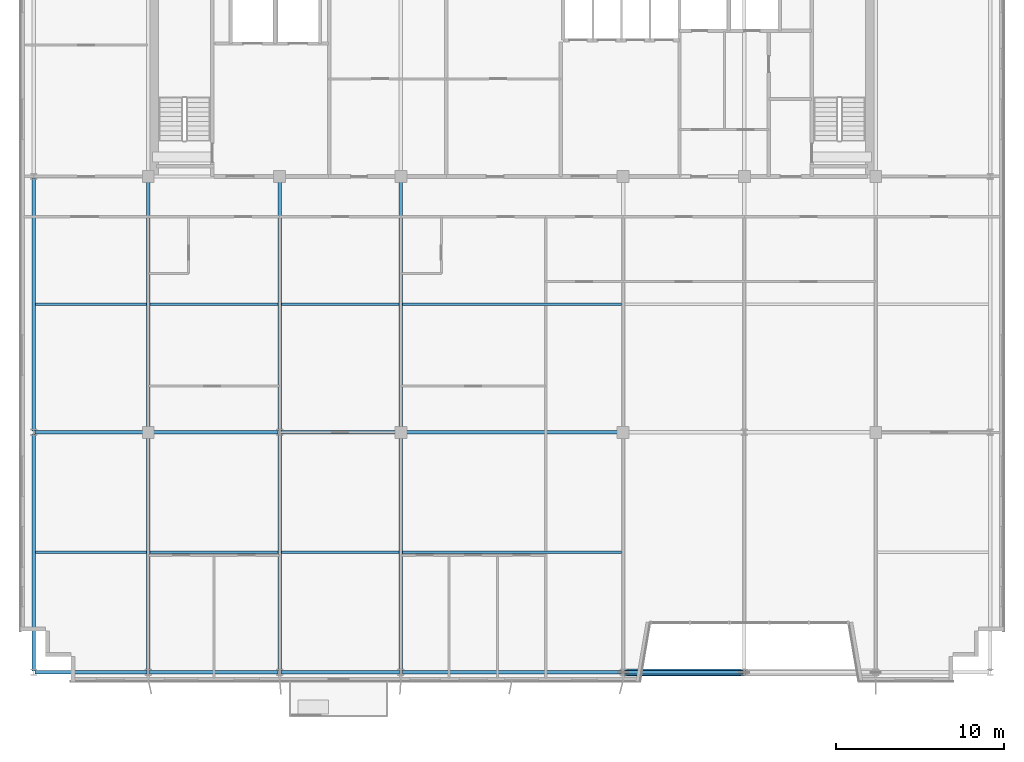
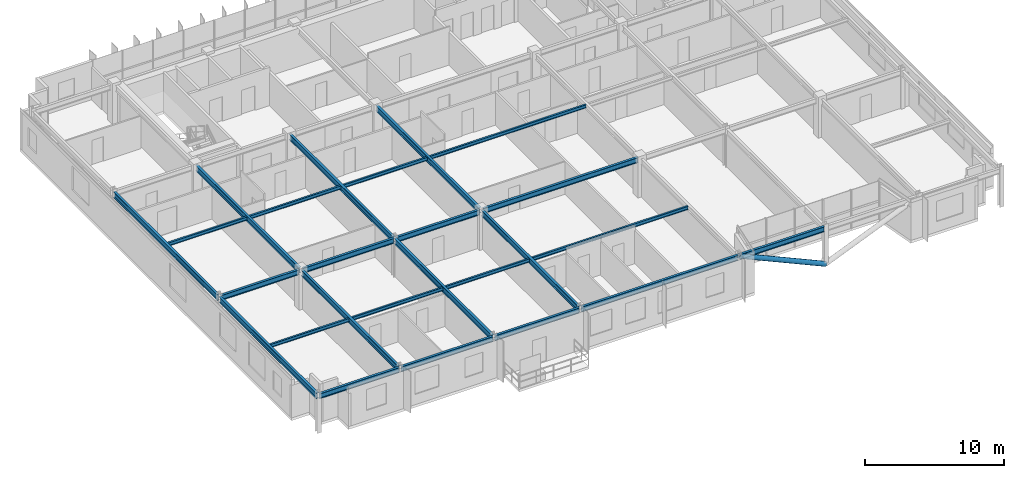
# One storey, part 5 of 27: 25 beams, 1 member.
"""IFC4 building model written with IfcOpenShell, lengths in metres."""

from ifc_helpers import new_model, si_unit, direction, frame, origin, origin_2d, place, context, subcontext, project, spatial, hollow_circle, i_section, extrude, source, transform, mapped, material, material_profile, profile_set, type_object, element, save


model = new_model("IFC4")

# Units and contexts
model_context = context("Model", 3, precision=1e-05, world=origin(), true_north=direction((0.0, 1.0)))
body_context = subcontext(model_context, "Body", "Model", "MODEL_VIEW")
ifc_project = project(units=[si_unit("LENGTHUNIT", "METRE"), si_unit("AREAUNIT", "SQUARE_METRE"), si_unit("VOLUMEUNIT", "CUBIC_METRE"), si_unit("PLANEANGLEUNIT", "RADIAN"), si_unit("MASSUNIT", "GRAM", prefix="KILO")], contexts=[model_context])

# Site, building, storey
site_placement = place(None, origin())
site = spatial("IfcSite", under=ifc_project, at=site_placement, CompositionType="ELEMENT")
building_placement = place(site_placement, origin())
building = spatial("IfcBuilding", under=site, at=building_placement, Name="Trelvane Seafront Commons", CompositionType="ELEMENT")
storey_placement = place(building_placement, frame((0.0, 0.0, 233.699951171875)))
storey = spatial("IfcBuildingStorey", under=building, at=storey_placement, Name="L61", CompositionType="ELEMENT", Elevation=233.699951171875)

# Beams
ifc_material = material(Name="Steel SM355 (S355)", Category="steel")
ifc_material_profile_1 = material_profile(ifc_material, i_section(OverallWidth=0.199951171875, OverallDepth=0.5, WebThickness=0.010009765625, FlangeThickness=0.01611328125, at=origin_2d()), Name="H-500x200x10x16")
ifc_profile_set_1 = profile_set([ifc_material_profile_1], Name="Steel SM355 (S355)")
beam_type_1 = type_object("IfcBeamType", Name="STR-BM-H500", PredefinedType="BEAM", material=ifc_profile_set_1)
shared_shape_1 = source(origin(), body_context, "Body", "SweptSolid", [
    extrude(i_section(OverallWidth=0.199951171875, OverallDepth=0.5, WebThickness=0.010009765625, FlangeThickness=0.01611328125, at=origin_2d()), origin(), (0.0, 0.0, 1.0), 14.89990234375),
])
for number, where, z_axis, x_axis, name in (
    (1, (15.60009765625, 18.35009765625, 3.110107421875), (0.0, 1.0, 0.0), (-1.0, 0.0, 0.0), "L61 Primary Girder G-33"),
    (2, (30.60009765625, 18.35009765625, 3.110107421875), (0.0, 1.0, 0.0), (-1.0, 0.0, 0.0), "L61 Primary Girder G-39"),
):
    element("IfcBeam", number, at=place(storey_placement, frame(where, z_axis=z_axis, x_axis=x_axis)), inside=storey, type_object=beam_type_1, Name=name, PredefinedType="BEAM", context=body_context, shape_type="MappedRepresentation", body=[
        mapped(shared_shape_1, transform((0.0, 0.0, 0.0), x_axis=(1.0, 0.0, 0.0), y_axis=(0.0, 1.0, 0.0), z_axis=(0.0, 0.0, 1.0), scale=1.0)),
    ])
ifc_material_profile_2 = material_profile(ifc_material, i_section(OverallWidth=0.199951171875, OverallDepth=0.449951171875, WebThickness=0.009033203125, FlangeThickness=0.013916015625, at=origin_2d()), Name="H-450x200x9x14")
ifc_profile_set_2 = profile_set([ifc_material_profile_2], Name="Steel SM355 (S355)")
beam_type_2 = type_object("IfcBeamType", Name="STR-SPD-H450", PredefinedType="SPANDREL", material=ifc_profile_set_2)
shared_shape_2 = source(origin(), body_context, "Body", "SweptSolid", [
    extrude(i_section(OverallWidth=0.199951171875, OverallDepth=0.449951171875, WebThickness=0.009033203125, FlangeThickness=0.013916015625, at=origin_2d()), origin(), (0.0, 0.0, 1.0), 6.625),
])
beam_1_placement = place(storey_placement, frame((8.887451171875, 3.949951171875, 3.135009765625), z_axis=(1.0, 0.0, 0.0), x_axis=(0.0, 1.0, 0.0)))
element("IfcBeam", 3, at=beam_1_placement, inside=storey, type_object=beam_type_2, Name="L61 Primary Girder G-01", PredefinedType="SPANDREL", context=body_context, shape_type="MappedRepresentation", body=[
    mapped(shared_shape_2, transform((0.0, 0.0, 0.0), x_axis=(1.0, 0.0, 0.0), y_axis=(0.0, 1.0, 0.0), z_axis=(0.0, 0.0, 1.0), scale=1.0)),
])
shared_shape_3 = source(origin(), body_context, "Body", "SweptSolid", [
    extrude(i_section(OverallWidth=0.199951171875, OverallDepth=0.449951171875, WebThickness=0.009033203125, FlangeThickness=0.013916015625, at=origin_2d()), origin(), (0.0, 0.0, 1.0), 7.625),
])
beam_2_placement = place(storey_placement, frame((15.6875, 3.949951171875, 3.135009765625), z_axis=(1.0, 0.0, 0.0), x_axis=(0.0, 1.0, 0.0)))
element("IfcBeam", 4, at=beam_2_placement, inside=storey, type_object=beam_type_2, Name="L61 Primary Girder G-02", PredefinedType="SPANDREL", context=body_context, shape_type="MappedRepresentation", body=[
    mapped(shared_shape_3, transform((0.0, 0.0, 0.0), x_axis=(1.0, 0.0, 0.0), y_axis=(0.0, 1.0, 0.0), z_axis=(0.0, 0.0, 1.0), scale=1.0)),
])
shared_shape_4 = source(origin(), body_context, "Body", "SweptSolid", [
    extrude(i_section(OverallWidth=0.199951171875, OverallDepth=0.449951171875, WebThickness=0.009033203125, FlangeThickness=0.013916015625, at=origin_2d()), origin(), (0.0, 0.0, 1.0), 7.02490234375),
])
beam_3_placement = place(storey_placement, frame((23.487548828125, 3.949951171875, 3.135009765625), z_axis=(1.0, 0.0, 0.0), x_axis=(0.0, 1.0, 0.0)))
element("IfcBeam", 5, at=beam_3_placement, inside=storey, type_object=beam_type_2, Name="L61 Primary Girder G-03", PredefinedType="SPANDREL", context=body_context, shape_type="MappedRepresentation", body=[
    mapped(shared_shape_4, transform((0.0, 0.0, 0.0), x_axis=(1.0, 0.0, 0.0), y_axis=(0.0, 1.0, 0.0), z_axis=(0.0, 0.0, 1.0), scale=1.0)),
])
shared_shape_5 = source(origin(), body_context, "Body", "SweptSolid", [
    extrude(i_section(OverallWidth=0.199951171875, OverallDepth=0.449951171875, WebThickness=0.009033203125, FlangeThickness=0.013916015625, at=origin_2d()), origin(), (0.0, 0.0, 1.0), 7.025146484375),
])
beam_4_placement = place(storey_placement, frame((43.887451171875, 3.949951171875, 3.135009765625), z_axis=(1.0, 0.0, 0.0), x_axis=(0.0, 1.0, 0.0)))
element("IfcBeam", 6, at=beam_4_placement, inside=storey, type_object=beam_type_2, Name="L61 Primary Girder G-05", PredefinedType="SPANDREL", context=body_context, shape_type="MappedRepresentation", body=[
    mapped(shared_shape_5, transform((0.0, 0.0, 0.0), x_axis=(1.0, 0.0, 0.0), y_axis=(0.0, 1.0, 0.0), z_axis=(0.0, 0.0, 1.0), scale=1.0)),
])
shared_shape_6 = source(origin(), body_context, "Body", "SweptSolid", [
    extrude(i_section(OverallWidth=0.199951171875, OverallDepth=0.449951171875, WebThickness=0.009033203125, FlangeThickness=0.013916015625, at=origin_2d()), origin(), (0.0, 0.0, 1.0), 6.5625),
])
beam_5_placement = place(storey_placement, frame((8.887451171875, 18.199951171875, 3.135009765625), z_axis=(1.0, 0.0, 0.0), x_axis=(0.0, 1.0, 0.0)))
element("IfcBeam", 7, at=beam_5_placement, inside=storey, type_object=beam_type_2, Name="L61 Primary Girder G-08", PredefinedType="SPANDREL", context=body_context, shape_type="MappedRepresentation", body=[
    mapped(shared_shape_6, transform((0.0, 0.0, 0.0), x_axis=(1.0, 0.0, 0.0), y_axis=(0.0, 1.0, 0.0), z_axis=(0.0, 0.0, 1.0), scale=1.0)),
])
shared_shape_7 = source(origin(), body_context, "Body", "SweptSolid", [
    extrude(i_section(OverallWidth=0.199951171875, OverallDepth=0.449951171875, WebThickness=0.009033203125, FlangeThickness=0.013916015625, at=origin_2d()), origin(), (0.0, 0.0, 1.0), 7.5625),
])
beam_6_placement = place(storey_placement, frame((15.75, 18.199951171875, 3.135009765625), z_axis=(1.0, 0.0, 0.0), x_axis=(0.0, 1.0, 0.0)))
element("IfcBeam", 8, at=beam_6_placement, inside=storey, type_object=beam_type_2, Name="L61 Primary Girder G-09", PredefinedType="SPANDREL", context=body_context, shape_type="MappedRepresentation", body=[
    mapped(shared_shape_7, transform((0.0, 0.0, 0.0), x_axis=(1.0, 0.0, 0.0), y_axis=(0.0, 1.0, 0.0), z_axis=(0.0, 0.0, 1.0), scale=1.0)),
])
shared_shape_8 = source(origin(), body_context, "Body", "SweptSolid", [
    extrude(i_section(OverallWidth=0.199951171875, OverallDepth=0.449951171875, WebThickness=0.009033203125, FlangeThickness=0.013916015625, at=origin_2d()), origin(), (0.0, 0.0, 1.0), 6.96240234375),
])
beam_7_placement = place(storey_placement, frame((23.487548828125, 18.199951171875, 3.135009765625), z_axis=(1.0, 0.0, 0.0), x_axis=(0.0, 1.0, 0.0)))
element("IfcBeam", 9, at=beam_7_placement, inside=storey, type_object=beam_type_2, Name="L61 Primary Girder G-10", PredefinedType="SPANDREL", context=body_context, shape_type="MappedRepresentation", body=[
    mapped(shared_shape_8, transform((0.0, 0.0, 0.0), x_axis=(1.0, 0.0, 0.0), y_axis=(0.0, 1.0, 0.0), z_axis=(0.0, 0.0, 1.0), scale=1.0)),
])
shared_shape_9 = source(origin(), body_context, "Body", "SweptSolid", [
    extrude(i_section(OverallWidth=0.199951171875, OverallDepth=0.449951171875, WebThickness=0.009033203125, FlangeThickness=0.013916015625, at=origin_2d()), origin(), (0.0, 0.0, 1.0), 12.89990234375),
])
beam_8_placement = place(storey_placement, frame((30.75, 18.199951171875, 3.135009765625), z_axis=(1.0, 0.0, 0.0), x_axis=(0.0, 1.0, 0.0)))
element("IfcBeam", 10, at=beam_8_placement, inside=storey, type_object=beam_type_2, Name="L61 Primary Girder G-11", PredefinedType="SPANDREL", context=body_context, shape_type="MappedRepresentation", body=[
    mapped(shared_shape_9, transform((0.0, 0.0, 0.0), x_axis=(1.0, 0.0, 0.0), y_axis=(0.0, 1.0, 0.0), z_axis=(0.0, 0.0, 1.0), scale=1.0)),
])
shared_shape_10 = source(origin(), body_context, "Body", "SweptSolid", [
    extrude(i_section(OverallWidth=0.199951171875, OverallDepth=0.5, WebThickness=0.010009765625, FlangeThickness=0.01611328125, at=origin_2d()), origin(), (0.0, 0.0, 1.0), 14.074951171875),
])
for number, where, z_axis, x_axis, name in (
    (11, (8.800048828125, 4.03759765625, 3.110107421875), (0.0, 1.0, 0.0), (-1.0, 0.0, 0.0), "L61 Primary Girder G-29"),
    (12, (23.39990234375, 4.03759765625, 3.110107421875), (0.0, 1.0, 0.0), (-1.0, 0.0, 0.0), "L61 Primary Girder G-35"),
):
    element("IfcBeam", number, at=place(storey_placement, frame(where, z_axis=z_axis, x_axis=x_axis)), inside=storey, type_object=beam_type_1, Name=name, PredefinedType="BEAM", context=body_context, shape_type="MappedRepresentation", body=[
        mapped(shared_shape_10, transform((0.0, 0.0, 0.0), x_axis=(1.0, 0.0, 0.0), y_axis=(0.0, 1.0, 0.0), z_axis=(0.0, 0.0, 1.0), scale=1.0)),
    ])
shared_shape_11 = source(origin(), body_context, "Body", "SweptSolid", [
    extrude(i_section(OverallWidth=0.199951171875, OverallDepth=0.5, WebThickness=0.010009765625, FlangeThickness=0.01611328125, at=origin_2d()), origin(), (0.0, 0.0, 1.0), 15.02490234375),
])
beam_9_placement = place(storey_placement, frame((8.800048828125, 18.28759765625, 3.110107421875), z_axis=(0.0, 1.0, 0.0), x_axis=(-1.0, 0.0, 0.0)))
element("IfcBeam", 13, at=beam_9_placement, inside=storey, type_object=beam_type_1, Name="L61 Primary Girder G-30", PredefinedType="BEAM", context=body_context, shape_type="MappedRepresentation", body=[
    mapped(shared_shape_11, transform((0.0, 0.0, 0.0), x_axis=(1.0, 0.0, 0.0), y_axis=(0.0, 1.0, 0.0), z_axis=(0.0, 0.0, 1.0), scale=1.0)),
])
shared_shape_12 = source(origin(), body_context, "Body", "SweptSolid", [
    extrude(i_section(OverallWidth=0.199951171875, OverallDepth=0.5, WebThickness=0.010009765625, FlangeThickness=0.01611328125, at=origin_2d()), origin(), (0.0, 0.0, 1.0), 14.012451171875),
])
for number, where, z_axis, x_axis, name in (
    (14, (15.60009765625, 4.03759765625, 3.110107421875), (0.0, 1.0, 0.0), (-1.0, 0.0, 0.0), "L61 Primary Girder G-32"),
    (15, (30.60009765625, 4.03759765625, 3.110107421875), (0.0, 1.0, 0.0), (-1.0, 0.0, 0.0), "L61 Primary Girder G-38"),
):
    element("IfcBeam", number, at=place(storey_placement, frame(where, z_axis=z_axis, x_axis=x_axis)), inside=storey, type_object=beam_type_1, Name=name, PredefinedType="BEAM", context=body_context, shape_type="MappedRepresentation", body=[
        mapped(shared_shape_12, transform((0.0, 0.0, 0.0), x_axis=(1.0, 0.0, 0.0), y_axis=(0.0, 1.0, 0.0), z_axis=(0.0, 0.0, 1.0), scale=1.0)),
    ])
shared_shape_13 = source(origin(), body_context, "Body", "SweptSolid", [
    extrude(i_section(OverallWidth=0.199951171875, OverallDepth=0.5, WebThickness=0.010009765625, FlangeThickness=0.01611328125, at=origin_2d()), origin(), (0.0, 0.0, 1.0), 14.96240234375),
])
beam_10_placement = place(storey_placement, frame((23.39990234375, 18.28759765625, 3.110107421875), z_axis=(0.0, 1.0, 0.0), x_axis=(-1.0, 0.0, 0.0)))
element("IfcBeam", 16, at=beam_10_placement, inside=storey, type_object=beam_type_1, Name="L61 Primary Girder G-36", PredefinedType="BEAM", context=body_context, shape_type="MappedRepresentation", body=[
    mapped(shared_shape_13, transform((0.0, 0.0, 0.0), x_axis=(1.0, 0.0, 0.0), y_axis=(0.0, 1.0, 0.0), z_axis=(0.0, 0.0, 1.0), scale=1.0)),
])
ifc_material_profile_3 = material_profile(ifc_material, i_section(OverallWidth=0.14990234375, OverallDepth=0.300048828125, WebThickness=0.006591796875, FlangeThickness=0.009033203125, at=origin_2d()), Name="H-300x150x6.5x9")
ifc_profile_set_3 = profile_set([ifc_material_profile_3], Name="Steel SM355 (S355)")
beam_type_3 = type_object("IfcBeamType", Name="STR-JST-H300", PredefinedType="JOIST", material=ifc_profile_set_3)
shared_shape_14 = source(origin(), body_context, "Body", "SweptSolid", [
    extrude(i_section(OverallWidth=0.14990234375, OverallDepth=0.300048828125, WebThickness=0.006591796875, FlangeThickness=0.009033203125, at=origin_2d()), origin(), (0.0, 0.0, 1.0), 6.60009765625),
])
for number, where, z_axis, x_axis, name in (
    (17, (8.89990234375, 11.074951171875, 3.2099609375), (1.0, 0.0, 0.0), (0.0, 1.0, 0.0), "L61 Secondary Floor Joist B-53"),
    (18, (8.89990234375, 25.800048828125, 3.2099609375), (1.0, 0.0, 0.0), (0.0, 1.0, 0.0), "L61 Secondary Floor Joist B-58"),
):
    element("IfcBeam", number, at=place(storey_placement, frame(where, z_axis=z_axis, x_axis=x_axis)), inside=storey, type_object=beam_type_3, Name=name, PredefinedType="JOIST", context=body_context, shape_type="MappedRepresentation", body=[
        mapped(shared_shape_14, transform((0.0, 0.0, 0.0), x_axis=(1.0, 0.0, 0.0), y_axis=(0.0, 1.0, 0.0), z_axis=(0.0, 0.0, 1.0), scale=1.0)),
    ])
shared_shape_15 = source(origin(), body_context, "Body", "SweptSolid", [
    extrude(i_section(OverallWidth=0.14990234375, OverallDepth=0.300048828125, WebThickness=0.006591796875, FlangeThickness=0.009033203125, at=origin_2d()), origin(), (0.0, 0.0, 1.0), 7.60009765625),
])
for number, where, z_axis, x_axis, name in (
    (19, (15.699951171875, 11.074951171875, 3.2099609375), (1.0, 0.0, 0.0), (0.0, 1.0, 0.0), "L61 Secondary Floor Joist B-54"),
    (20, (15.699951171875, 25.800048828125, 3.2099609375), (1.0, 0.0, 0.0), (0.0, 1.0, 0.0), "L61 Secondary Floor Joist B-59"),
):
    element("IfcBeam", number, at=place(storey_placement, frame(where, z_axis=z_axis, x_axis=x_axis)), inside=storey, type_object=beam_type_3, Name=name, PredefinedType="JOIST", context=body_context, shape_type="MappedRepresentation", body=[
        mapped(shared_shape_15, transform((0.0, 0.0, 0.0), x_axis=(1.0, 0.0, 0.0), y_axis=(0.0, 1.0, 0.0), z_axis=(0.0, 0.0, 1.0), scale=1.0)),
    ])
shared_shape_16 = source(origin(), body_context, "Body", "SweptSolid", [
    extrude(i_section(OverallWidth=0.14990234375, OverallDepth=0.300048828125, WebThickness=0.006591796875, FlangeThickness=0.009033203125, at=origin_2d()), origin(), (0.0, 0.0, 1.0), 7.0),
])
for number, where, z_axis, x_axis, name in (
    (21, (23.5, 11.074951171875, 3.2099609375), (1.0, 0.0, 0.0), (0.0, 1.0, 0.0), "L61 Secondary Floor Joist B-55"),
    (22, (23.5, 25.800048828125, 3.2099609375), (1.0, 0.0, 0.0), (0.0, 1.0, 0.0), "L61 Secondary Floor Joist B-60"),
):
    element("IfcBeam", number, at=place(storey_placement, frame(where, z_axis=z_axis, x_axis=x_axis)), inside=storey, type_object=beam_type_3, Name=name, PredefinedType="JOIST", context=body_context, shape_type="MappedRepresentation", body=[
        mapped(shared_shape_16, transform((0.0, 0.0, 0.0), x_axis=(1.0, 0.0, 0.0), y_axis=(0.0, 1.0, 0.0), z_axis=(0.0, 0.0, 1.0), scale=1.0)),
    ])
shared_shape_17 = source(origin(), body_context, "Body", "SweptSolid", [
    extrude(i_section(OverallWidth=0.14990234375, OverallDepth=0.300048828125, WebThickness=0.006591796875, FlangeThickness=0.009033203125, at=origin_2d()), origin(), (0.0, 0.0, 1.0), 13.0),
])
for number, where, z_axis, x_axis, name in (
    (23, (30.699951171875, 11.074951171875, 3.2099609375), (1.0, 0.0, 0.0), (0.0, 1.0, 0.0), "L61 Secondary Floor Joist B-56"),
    (24, (30.699951171875, 25.800048828125, 3.2099609375), (1.0, 0.0, 0.0), (0.0, 1.0, 0.0), "L61 Secondary Floor Joist B-61"),
):
    element("IfcBeam", number, at=place(storey_placement, frame(where, z_axis=z_axis, x_axis=x_axis)), inside=storey, type_object=beam_type_3, Name=name, PredefinedType="JOIST", context=body_context, shape_type="MappedRepresentation", body=[
        mapped(shared_shape_17, transform((0.0, 0.0, 0.0), x_axis=(1.0, 0.0, 0.0), y_axis=(0.0, 1.0, 0.0), z_axis=(0.0, 0.0, 1.0), scale=1.0)),
    ])
shared_shape_18 = source(origin(), body_context, "Body", "SweptSolid", [
    extrude(i_section(OverallWidth=0.199951171875, OverallDepth=0.449951171875, WebThickness=0.009033203125, FlangeThickness=0.013916015625, at=origin_2d()), origin(), (0.0, 0.0, 1.0), 13.02490234375),
])
beam_11_placement = place(storey_placement, frame((30.6875, 3.949951171875, 3.135009765625), z_axis=(1.0, 0.0, 0.0), x_axis=(0.0, 1.0, 0.0)))
element("IfcBeam", 25, at=beam_11_placement, inside=storey, type_object=beam_type_2, Name="L61 Primary Girder G-04", PredefinedType="SPANDREL", context=body_context, shape_type="MappedRepresentation", body=[
    mapped(shared_shape_18, transform((0.0, 0.0, 0.0), x_axis=(1.0, 0.0, 0.0), y_axis=(0.0, 1.0, 0.0), z_axis=(0.0, 0.0, 1.0), scale=1.0)),
])

# Member
ifc_material_profile_4 = material_profile(ifc_material, hollow_circle(Radius=0.203125, WallThickness=0.01611328125, at=origin_2d()), Name="CHS-406.4x16")
ifc_profile_set_4 = profile_set([ifc_material_profile_4], Name="Steel SM355 (S355)")
member_type = type_object("IfcMemberType", Name="STR-STR-CHS406", PredefinedType="STRUT", material=ifc_profile_set_4)
shared_shape_19 = source(origin(), body_context, "Body", "SweptSolid", [
    extrude(hollow_circle(Radius=0.203125, WallThickness=0.01611328125, at=origin_2d()), origin(), (0.0, 0.0, 1.0), 7.895263671875),
])
member_placement = place(storey_placement, frame((51.0, 3.949951171875, 0.0), z_axis=(-0.911920926592, 0.0, 0.410365963067), x_axis=(0.0, -1.0, 0.0)))
element("IfcMember", 26, at=member_placement, inside=storey, type_object=member_type, Name="L61 Sky-Garden V-Chevron Brace SGV-W", PredefinedType="STRUT", context=body_context, shape_type="MappedRepresentation", body=[
    mapped(shared_shape_19, transform((0.0, 0.0, 0.0), x_axis=(1.0, 0.0, 0.0), y_axis=(0.0, 1.0, 0.0), z_axis=(0.0, 0.0, 1.0), scale=1.0)),
])

save(model, "model.ifc")
